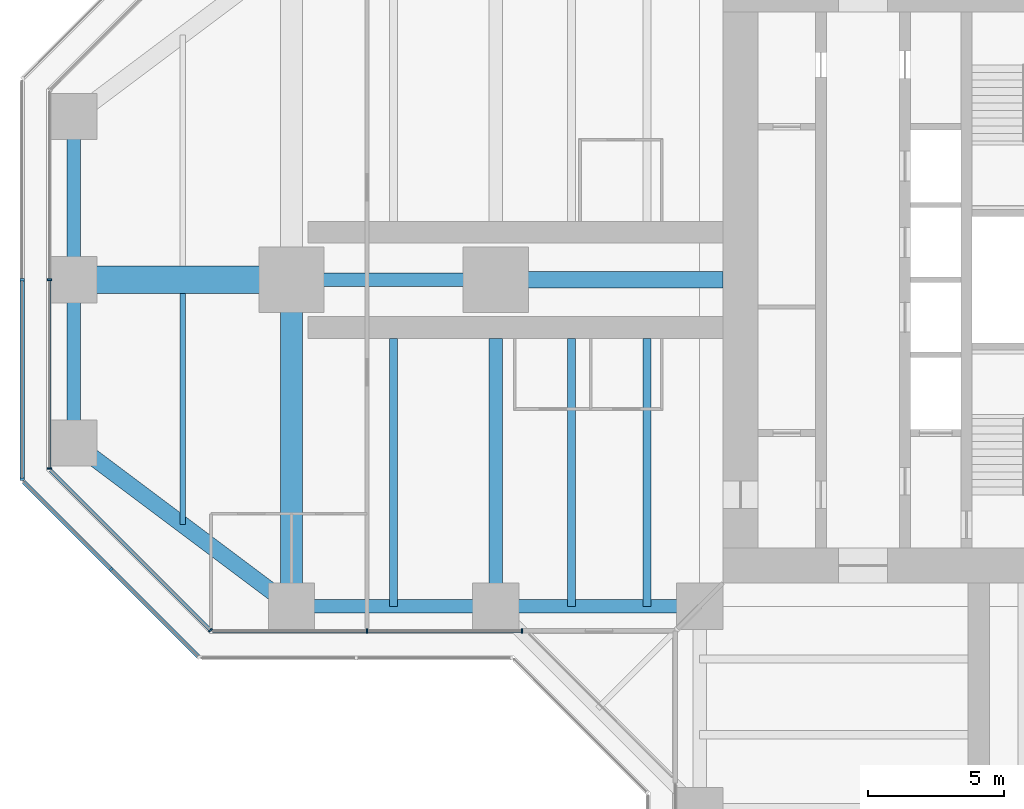
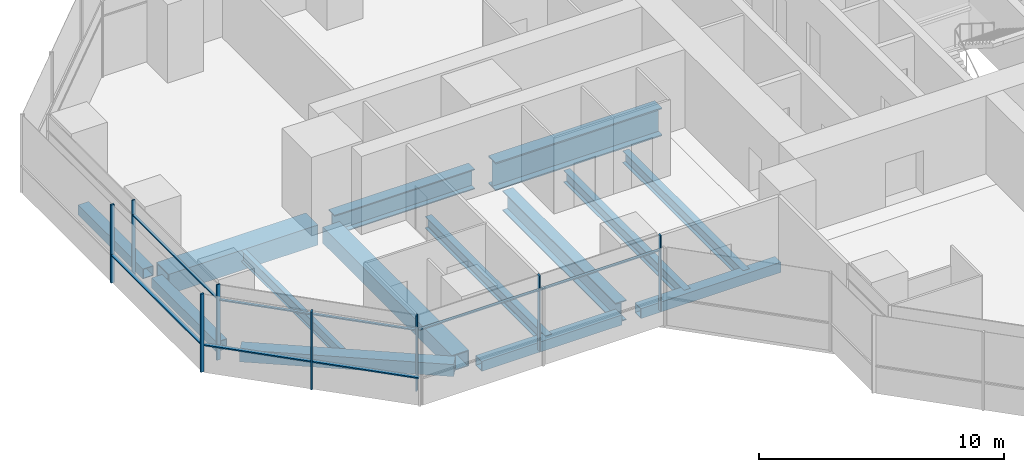
# One storey, part 3 of 20: 15 members, 14 beams, 5 elements without a shape of their own.
"""IFC4 building model written with IfcOpenShell, lengths in metres."""

from ifc_helpers import new_model, si_unit, direction, frame, origin, origin_2d, place, context, subcontext, project, spatial, rectangle, hollow_rectangle, i_section, extrude, material, material_profile, profile_set, type_object, element, aggregate, save


model = new_model("IFC4")

# Units and contexts
model_context = context("Model", 3, precision=1e-05, world=origin(), true_north=direction((0.0, 1.0)))
body_context = subcontext(model_context, "Body", "Model", "MODEL_VIEW")
ifc_project = project(units=[si_unit("LENGTHUNIT", "METRE"), si_unit("AREAUNIT", "SQUARE_METRE"), si_unit("VOLUMEUNIT", "CUBIC_METRE"), si_unit("PLANEANGLEUNIT", "RADIAN"), si_unit("MASSUNIT", "GRAM", prefix="KILO")], contexts=[model_context])

# Site, building, storey
site_placement = place(None, origin())
site = spatial("IfcSite", under=ifc_project, at=site_placement, CompositionType="ELEMENT")
building_placement = place(site_placement, origin())
building = spatial("IfcBuilding", under=site, at=building_placement, Name="Mizan Broadcast Tower", CompositionType="ELEMENT")
storey_placement = place(building_placement, frame((0.0, 0.0, 139.800048828125)))
storey = spatial("IfcBuildingStorey", under=building, at=storey_placement, Name="L31", CompositionType="ELEMENT", Elevation=139.800048828125)

# Beams
ifc_material_1 = material(Name="Steel S355", Category="steel")
ifc_material_profile_1 = material_profile(ifc_material_1, hollow_rectangle(XDim=0.5, YDim=0.5, WallThickness=0.030029296875, at=origin_2d()), Name="BOX 500x500x30")
ifc_profile_set_1 = profile_set([ifc_material_profile_1], Name="Steel S355")
beam_type_1 = type_object("IfcBeamType", Name="EDGE BEAM BOX 500x500x30", PredefinedType="SPANDREL", material=ifc_profile_set_1)
beam_1_placement = place(storey_placement, frame((-35.0, 5.639892578125, -0.380126953125), z_axis=(0.0, -1.0, 0.0), x_axis=(1.0, 0.0, 0.0)))
element("IfcBeam", 1, at=beam_1_placement, inside=storey, type_object=beam_type_1, Name="Edge beam BOX 500x500x30 L31 west arm", PredefinedType="SPANDREL", context=body_context, shape_type="SweptSolid", body=[
    extrude(hollow_rectangle(XDim=0.5, YDim=0.5, WallThickness=0.030029296875, at=origin_2d()), origin(), (0.0, 0.0, 1.0), 5.27978515625),
])
for number, where, z_axis, x_axis, name in (
    (2, (-12.449951171875, -12.0, -0.380126953125), (-1.0, 0.0, 0.0), (0.0, -1.0, 0.0), "Edge beam BOX 500x500x30 L31 west arm"),
    (3, (-19.949951171875, -12.0, -0.380126953125), (-1.0, 0.0, 0.0), (0.0, -1.0, 0.0), "Edge beam BOX 500x500x30 L31 west arm"),
):
    element("IfcBeam", number, at=place(storey_placement, frame(where, z_axis=z_axis, x_axis=x_axis)), inside=storey, type_object=beam_type_1, Name=name, PredefinedType="SPANDREL", context=body_context, shape_type="SweptSolid", body=[
        extrude(hollow_rectangle(XDim=0.5, YDim=0.5, WallThickness=0.030029296875, at=origin_2d()), origin(), (0.0, 0.0, 1.0), 6.60009765625),
    ])
beam_2_placement = place(storey_placement, frame((-35.0, -5.639892578125, -0.380126953125), z_axis=(0.0, 1.0, 0.0), x_axis=(-1.0, 0.0, 0.0)))
element("IfcBeam", 4, at=beam_2_placement, inside=storey, type_object=beam_type_1, Name="Edge beam BOX 500x500x30 L31 west arm", PredefinedType="SPANDREL", context=body_context, shape_type="SweptSolid", body=[
    extrude(hollow_rectangle(XDim=0.5, YDim=0.5, WallThickness=0.030029296875, at=origin_2d()), origin(), (0.0, 0.0, 1.0), 5.27978515625),
])
ifc_material_2 = material(Name="Steel S355", Category="steel")
ifc_material_profile_2 = material_profile(ifc_material_2, hollow_rectangle(XDim=0.60009765625, YDim=0.60009765625, WallThickness=0.030029296875, at=origin_2d()), Name="BOX 600x600x30")
ifc_profile_set_2 = profile_set([ifc_material_profile_2], Name="Steel S355")
beam_type_2 = type_object("IfcBeamType", Name="EDGE BEAM BOX 600x600x30", PredefinedType="SPANDREL", material=ifc_profile_set_2)
beam_3_placement = place(storey_placement, frame((-27.47998046875, -11.639892578125, -0.429931640625), z_axis=(-0.800013316712, 0.599982243973, 0.0), x_axis=(-0.599982243973, -0.800013316712, 0.0)))
element("IfcBeam", 5, at=beam_3_placement, inside=storey, type_object=beam_type_2, Name="Edge beam BOX 600x600x30 L31 west arm", PredefinedType="SPANDREL", context=body_context, shape_type="SweptSolid", body=[
    extrude(hollow_rectangle(XDim=0.60009765625, YDim=0.60009765625, WallThickness=0.030029296875, at=origin_2d()), origin(), (0.0, 0.0, 1.0), 8.7998046875),
])
ifc_material_3 = material(Name="Steel S460", Category="steel")
ifc_material_profile_3 = material_profile(ifc_material_3, hollow_rectangle(XDim=1.0, YDim=1.0, WallThickness=0.06005859375, at=origin_2d()), Name="BOX 1000x1000x60")
ifc_profile_set_3 = profile_set([ifc_material_profile_3], Name="Steel S460")
beam_type_3 = type_object("IfcBeamType", Name="GIRDER BOX 1000x1000x60", PredefinedType="BEAM", material=ifc_profile_set_3)
beam_4_placement = place(storey_placement, frame((-27.47998046875, 0.0, -0.630126953125), z_axis=(-1.0, 0.0, 0.0), x_axis=(0.0, -1.0, 0.0)))
element("IfcBeam", 6, at=beam_4_placement, inside=storey, type_object=beam_type_3, Name="Girder BOX 1000x1000x60 L31 west arm", PredefinedType="BEAM", context=body_context, shape_type="SweptSolid", body=[
    extrude(hollow_rectangle(XDim=1.0, YDim=1.0, WallThickness=0.06005859375, at=origin_2d()), origin(), (0.0, 0.0, 1.0), 7.0400390625),
])
ifc_material_4 = material(Name="Steel S460", Category="steel")
ifc_material_profile_4 = material_profile(ifc_material_4, hollow_rectangle(XDim=0.800048828125, YDim=0.800048828125, WallThickness=0.050048828125, at=origin_2d()), Name="BOX 800x800x50")
ifc_profile_set_4 = profile_set([ifc_material_profile_4], Name="Steel S460")
beam_type_4 = type_object("IfcBeamType", Name="GIRDER BOX 800x800x50", PredefinedType="BEAM", material=ifc_profile_set_4)
beam_5_placement = place(storey_placement, frame((-27.0, -11.280029296875, -0.530029296875), z_axis=(0.0, 1.0, 0.0), x_axis=(-1.0, 0.0, 0.0)))
element("IfcBeam", 7, at=beam_5_placement, inside=storey, type_object=beam_type_4, Name="Girder BOX 800x800x50 L31 west arm", PredefinedType="BEAM", context=body_context, shape_type="SweptSolid", body=[
    extrude(hollow_rectangle(XDim=0.800048828125, YDim=0.800048828125, WallThickness=0.050048828125, at=origin_2d()), origin(), (0.0, 0.0, 1.0), 10.56005859375),
])
ifc_material_5 = material(Name="Steel S460", Category="steel")
ifc_material_profile_5 = material_profile(ifc_material_5, i_section(OverallWidth=0.5, OverallDepth=1.0, WebThickness=0.02490234375, FlangeThickness=0.050048828125, at=origin_2d()), Name="WPG 1000x500")
ifc_profile_set_5 = profile_set([ifc_material_profile_5], Name="Steel S460")
beam_type_5 = type_object("IfcBeamType", Name="GIRDER WPG 1000x500", PredefinedType="BEAM", material=ifc_profile_set_5)
beam_6_placement = place(storey_placement, frame((-19.949951171875, 0.0, -0.630126953125), z_axis=(-1.0, 0.0, 0.0), x_axis=(0.0, -1.0, 0.0)))
element("IfcBeam", 8, at=beam_6_placement, inside=storey, type_object=beam_type_5, Name="Girder WPG 1000x500 L31 west arm", PredefinedType="BEAM", context=body_context, shape_type="SweptSolid", body=[
    extrude(i_section(OverallWidth=0.5, OverallDepth=1.0, WebThickness=0.02490234375, FlangeThickness=0.050048828125, at=origin_2d()), origin(), (0.0, 0.0, 1.0), 6.60009765625),
])
beam_7_placement = place(storey_placement, frame((-19.5, -11.408935546875, -0.630126953125), z_axis=(0.0, 1.0, 0.0), x_axis=(-1.0, 0.0, 0.0)))
element("IfcBeam", 9, at=beam_7_placement, inside=storey, type_object=beam_type_5, Name="Girder WPG 1000x500 L31 west arm", PredefinedType="BEAM", context=body_context, shape_type="SweptSolid", body=[
    extrude(i_section(OverallWidth=0.5, OverallDepth=1.0, WebThickness=0.02490234375, FlangeThickness=0.050048828125, at=origin_2d()), origin(), (0.0, 0.0, 1.0), 9.259033203125),
])
ifc_material_6 = material(Name="Steel S460", Category="steel")
ifc_material_profile_6 = material_profile(ifc_material_6, i_section(OverallWidth=0.60009765625, OverallDepth=1.39990234375, WebThickness=0.02490234375, FlangeThickness=0.06005859375, at=origin_2d()), Name="WPG 1400x600")
ifc_profile_set_6 = profile_set([ifc_material_profile_6], Name="Steel S460")
beam_type_6 = type_object("IfcBeamType", Name="GIRDER WPG 1400x600", PredefinedType="BEAM", material=ifc_profile_set_6)
beam_8_placement = place(storey_placement, frame((-11.14990234375, 0.0, -0.830078125), z_axis=(-1.0, 0.0, 0.0), x_axis=(0.0, -1.0, 0.0)))
element("IfcBeam", 10, at=beam_8_placement, inside=storey, type_object=beam_type_6, Name="Girder WPG 1400x600 L31 west arm", PredefinedType="BEAM", context=body_context, shape_type="SweptSolid", body=[
    extrude(i_section(OverallWidth=0.60009765625, OverallDepth=1.39990234375, WebThickness=0.02490234375, FlangeThickness=0.06005859375, at=origin_2d()), origin(), (0.0, 0.0, 1.0), 7.84912109375),
])

# Curtain wall, members
ifc_material_7 = material(Name="Aluminium framed glazing", Category="aluminium")
curtain_wall_type_1 = type_object("IfcCurtainWallType", Name="INNER SKIN MID ZONE", PredefinedType="USERDEFINED", material=ifc_material_7)
curtain_wall_1_placement = place(storey_placement, origin())
curtain_wall_1 = element("IfcCurtainWall", 11, at=curtain_wall_1_placement, inside=storey, type_object=curtain_wall_type_1, Name="Inner skin mid zone L31 W end", ObjectType="INNER SKIN MID ZONE", PredefinedType="USERDEFINED")
ifc_material_8 = material(Name="Aluminium, pale anodised", Category="aluminium")
ifc_material_profile_7 = material_profile(ifc_material_8, rectangle(XDim=0.159912109375, YDim=0.06005859375, at=origin_2d()), Name="MULLION 160x60")
ifc_profile_set_7 = profile_set([ifc_material_profile_7], Name="Aluminium, pale anodised")
member_type_1 = type_object("IfcMemberType", Name="INNER SKIN MULLION 60x160", PredefinedType="MULLION", material=ifc_profile_set_7)
member_1_placement = place(storey_placement, frame((-35.89990234375, 0.0, 0.0), z_axis=(0.0, 0.0, 1.0), x_axis=(1.0, 0.0, 0.0)))
member_1 = element("IfcMember", 12, at=member_1_placement, type_object=member_type_1, Name="Inner skin mid zone L31 W end mullion 2", PredefinedType="MULLION", context=body_context, shape_type="SweptSolid", body=[
    extrude(rectangle(XDim=0.159912109375, YDim=0.06005859375, at=origin_2d()), origin(), (0.0, 0.0, 1.0), 3.77001953125),
])
member_2_placement = place(storey_placement, frame((-35.89990234375, -6.928466796875, 0.0), z_axis=(0.0, 0.0, 1.0), x_axis=(1.0, 0.0, 0.0)))
member_2 = element("IfcMember", 13, at=member_2_placement, type_object=member_type_1, Name="Inner skin mid zone L31 W end mullion 3", PredefinedType="MULLION", context=body_context, shape_type="SweptSolid", body=[
    extrude(rectangle(XDim=0.159912109375, YDim=0.06005859375, at=origin_2d()), origin(), (0.0, 0.0, 1.0), 3.77001953125),
])

# Curtain wall, member
curtain_wall_2_placement = place(storey_placement, origin())
curtain_wall_2 = element("IfcCurtainWall", 14, at=curtain_wall_2_placement, inside=storey, type_object=curtain_wall_type_1, Name="Inner skin mid zone L31 W chamfer", ObjectType="INNER SKIN MID ZONE", PredefinedType="USERDEFINED")
member_3_placement = place(storey_placement, frame((-29.979736328125, -12.87890625, 0.0), z_axis=(0.0, 0.0, 1.0), x_axis=(0.707106781187, 0.707106781187, 0.0)))
member_3 = element("IfcMember", 15, at=member_3_placement, type_object=member_type_1, Name="Inner skin mid zone L31 W chamfer mullion 2", PredefinedType="MULLION", context=body_context, shape_type="SweptSolid", body=[
    extrude(rectangle(XDim=0.159912109375, YDim=0.06005859375, at=origin_2d()), origin(), (0.0, 0.0, 1.0), 3.77001953125),
])

# Curtain wall, members
curtain_wall_3_placement = place(storey_placement, origin())
curtain_wall_3 = element("IfcCurtainWall", 16, at=curtain_wall_3_placement, inside=storey, type_object=curtain_wall_type_1, Name="Inner skin mid zone L31 W side", ObjectType="INNER SKIN MID ZONE", PredefinedType="USERDEFINED")
member_4_placement = place(storey_placement, frame((-24.229248046875, -12.89990234375, 0.0), z_axis=(0.0, 0.0, 1.0), x_axis=(0.0, 1.0, 0.0)))
member_4 = element("IfcMember", 17, at=member_4_placement, type_object=member_type_1, Name="Inner skin mid zone L31 W side mullion 2", PredefinedType="MULLION", context=body_context, shape_type="SweptSolid", body=[
    extrude(rectangle(XDim=0.159912109375, YDim=0.06005859375, at=origin_2d()), origin(), (0.0, 0.0, 1.0), 3.77001953125),
])
member_5_placement = place(storey_placement, frame((-18.530029296875, -12.89990234375, 0.0), z_axis=(0.0, 0.0, 1.0), x_axis=(0.0, 1.0, 0.0)))
member_5 = element("IfcMember", 18, at=member_5_placement, type_object=member_type_1, Name="Inner skin mid zone L31 W side mullion 3", PredefinedType="MULLION", context=body_context, shape_type="SweptSolid", body=[
    extrude(rectangle(XDim=0.159912109375, YDim=0.06005859375, at=origin_2d()), origin(), (0.0, 0.0, 1.0), 3.77001953125),
])

# Member
ifc_material_9 = material(Name="Aluminium, pale anodised", Category="aluminium")
ifc_material_profile_8 = material_profile(ifc_material_9, rectangle(XDim=0.1201171875, YDim=0.06005859375, at=origin_2d()), Name="TRANSOM 120x60")
ifc_profile_set_8 = profile_set([ifc_material_profile_8], Name="Aluminium, pale anodised")
member_type_2 = type_object("IfcMemberType", Name="INNER SKIN TRANSOM 60x120", PredefinedType="USERDEFINED", material=ifc_profile_set_8)
member_6_placement = place(storey_placement, frame((-35.89990234375, -0.030029296875, 3.030029296875), z_axis=(0.0, -1.0, 0.0), x_axis=(1.0, 0.0, 0.0)))
member_6 = element("IfcMember", 19, at=member_6_placement, type_object=member_type_2, Name="Inner skin mid zone L31 W end transom 2.1", ObjectType="TRANSOM", PredefinedType="USERDEFINED", context=body_context, shape_type="SweptSolid", body=[
    extrude(rectangle(XDim=0.1201171875, YDim=0.06005859375, at=origin_2d()), origin(), (0.0, 0.0, 1.0), 6.86865234375),
])

aggregate(curtain_wall_1, [member_1, member_2, member_6])

member_7_placement = place(storey_placement, frame((-35.857666015625, -7.0009765625, 3.030029296875), z_axis=(0.707106781187, -0.707106781187, 0.0), x_axis=(0.707106781187, 0.707106781187, 0.0)))
member_7 = element("IfcMember", 20, at=member_7_placement, type_object=member_type_2, Name="Inner skin mid zone L31 W chamfer transom 1.1", ObjectType="TRANSOM", PredefinedType="USERDEFINED", context=body_context, shape_type="SweptSolid", body=[
    extrude(rectangle(XDim=0.1201171875, YDim=0.06005859375, at=origin_2d()), origin(), (0.0, 0.0, 1.0), 8.28271484375),
])

aggregate(curtain_wall_2, [member_3, member_7])

member_8_placement = place(storey_placement, frame((-29.898681640625, -12.89990234375, 3.030029296875), z_axis=(1.0, 0.0, 0.0), x_axis=(0.0, 1.0, 0.0)))
member_8 = element("IfcMember", 21, at=member_8_placement, type_object=member_type_2, Name="Inner skin mid zone L31 W side transom 1.1", ObjectType="TRANSOM", PredefinedType="USERDEFINED", context=body_context, shape_type="SweptSolid", body=[
    extrude(rectangle(XDim=0.1201171875, YDim=0.06005859375, at=origin_2d()), origin(), (0.0, 0.0, 1.0), 5.639404296875),
])

member_9_placement = place(storey_placement, frame((-24.19921875, -12.89990234375, 3.030029296875), z_axis=(1.0, 0.0, 0.0), x_axis=(0.0, 1.0, 0.0)))
member_9 = element("IfcMember", 22, at=member_9_placement, type_object=member_type_2, Name="Inner skin mid zone L31 W side transom 2.1", ObjectType="TRANSOM", PredefinedType="USERDEFINED", context=body_context, shape_type="SweptSolid", body=[
    extrude(rectangle(XDim=0.1201171875, YDim=0.06005859375, at=origin_2d()), origin(), (0.0, 0.0, 1.0), 5.63916015625),
])

aggregate(curtain_wall_3, [member_4, member_5, member_8, member_9])

# Curtain wall, members
ifc_material_10 = material(Name="Aluminium framed glazing", Category="aluminium")
curtain_wall_type_2 = type_object("IfcCurtainWallType", Name="OUTER SKIN", PredefinedType="USERDEFINED", material=ifc_material_10)
curtain_wall_4_placement = place(storey_placement, origin())
curtain_wall_4 = element("IfcCurtainWall", 23, at=curtain_wall_4_placement, inside=storey, type_object=curtain_wall_type_2, Name="Outer skin L31 W end", ObjectType="OUTER SKIN", PredefinedType="USERDEFINED")
ifc_material_11 = material(Name="Aluminium, pale anodised", Category="aluminium")
ifc_material_profile_9 = material_profile(ifc_material_11, rectangle(XDim=0.159912109375, YDim=0.080078125, at=origin_2d()), Name="MULLION 160x80")
ifc_profile_set_9 = profile_set([ifc_material_profile_9], Name="Aluminium, pale anodised")
member_type_3 = type_object("IfcMemberType", Name="OUTER SKIN MULLION 80x160", PredefinedType="MULLION", material=ifc_profile_set_9)
member_10_placement = place(storey_placement, frame((-36.89990234375, 0.0, 0.0), z_axis=(0.0, 0.0, 1.0), x_axis=(1.0, 0.0, 0.0)))
member_10 = element("IfcMember", 24, at=member_10_placement, type_object=member_type_3, Name="Outer skin L31 W end mullion 2", PredefinedType="MULLION", context=body_context, shape_type="SweptSolid", body=[
    extrude(rectangle(XDim=0.159912109375, YDim=0.080078125, at=origin_2d()), origin(), (0.0, 0.0, 1.0), 3.89990234375),
])
member_11_placement = place(storey_placement, frame((-36.89990234375, -7.332763671875, 0.0), z_axis=(0.0, 0.0, 1.0), x_axis=(1.0, 0.0, 0.0)))
member_11 = element("IfcMember", 25, at=member_11_placement, type_object=member_type_3, Name="Outer skin L31 W end mullion 3", PredefinedType="MULLION", context=body_context, shape_type="SweptSolid", body=[
    extrude(rectangle(XDim=0.159912109375, YDim=0.080078125, at=origin_2d()), origin(), (0.0, 0.0, 1.0), 3.89990234375),
])

# Curtain wall, member
curtain_wall_5_placement = place(storey_placement, origin())
curtain_wall_5 = element("IfcCurtainWall", 26, at=curtain_wall_5_placement, inside=storey, type_object=curtain_wall_type_2, Name="Outer skin L31 W chamfer", ObjectType="OUTER SKIN", PredefinedType="USERDEFINED")
member_12_placement = place(storey_placement, frame((-33.636474609375, -10.636474609375, 0.0), z_axis=(0.0, 0.0, 1.0), x_axis=(0.707106781187, 0.707106781187, 0.0)))
member_12 = element("IfcMember", 27, at=member_12_placement, type_object=member_type_3, Name="Outer skin L31 W chamfer mullion 2", PredefinedType="MULLION", context=body_context, shape_type="SweptSolid", body=[
    extrude(rectangle(XDim=0.159912109375, YDim=0.080078125, at=origin_2d()), origin(), (0.0, 0.0, 1.0), 3.89990234375),
])

# Member
ifc_material_12 = material(Name="Aluminium, pale anodised", Category="aluminium")
ifc_material_profile_10 = material_profile(ifc_material_12, rectangle(XDim=0.159912109375, YDim=0.06005859375, at=origin_2d()), Name="TRANSOM 160x60")
ifc_profile_set_10 = profile_set([ifc_material_profile_10], Name="Aluminium, pale anodised")
member_type_4 = type_object("IfcMemberType", Name="OUTER SKIN TRANSOM 60x160", PredefinedType="USERDEFINED", material=ifc_profile_set_10)
member_13_placement = place(storey_placement, frame((-36.89990234375, -0.0400390625, 1.39990234375), z_axis=(0.0, -1.0, 0.0), x_axis=(1.0, 0.0, 0.0)))
member_13 = element("IfcMember", 28, at=member_13_placement, type_object=member_type_4, Name="Outer skin L31 W end transom 2.1", ObjectType="TRANSOM", PredefinedType="USERDEFINED", context=body_context, shape_type="SweptSolid", body=[
    extrude(rectangle(XDim=0.159912109375, YDim=0.06005859375, at=origin_2d()), origin(), (0.0, 0.0, 1.0), 7.252685546875),
])

aggregate(curtain_wall_4, [member_10, member_11, member_13])

member_14_placement = place(storey_placement, frame((-36.843505859375, -7.429443359375, 1.39990234375), z_axis=(0.707106781187, -0.707106781187, 0.0), x_axis=(0.707106781187, 0.707106781187, 0.0)))
member_14 = element("IfcMember", 29, at=member_14_placement, type_object=member_type_4, Name="Outer skin L31 W chamfer transom 1.1", ObjectType="TRANSOM", PredefinedType="USERDEFINED", context=body_context, shape_type="SweptSolid", body=[
    extrude(rectangle(XDim=0.159912109375, YDim=0.06005859375, at=origin_2d()), origin(), (0.0, 0.0, 1.0), 4.495361328125),
])

member_15_placement = place(storey_placement, frame((-33.608154296875, -10.664794921875, 1.39990234375), z_axis=(0.707106781187, -0.707106781187, 0.0), x_axis=(0.707106781187, 0.707106781187, 0.0)))
member_15 = element("IfcMember", 30, at=member_15_placement, type_object=member_type_4, Name="Outer skin L31 W chamfer transom 2.1", ObjectType="TRANSOM", PredefinedType="USERDEFINED", context=body_context, shape_type="SweptSolid", body=[
    extrude(rectangle(XDim=0.159912109375, YDim=0.06005859375, at=origin_2d()), origin(), (0.0, 0.0, 1.0), 4.495361328125),
])

aggregate(curtain_wall_5, [member_12, member_14, member_15])

# Beams
ifc_material_13 = material(Name="Steel S355", Category="steel")
ifc_material_profile_11 = material_profile(ifc_material_13, i_section(OverallWidth=0.300048828125, OverallDepth=0.590087890625, WebThickness=0.012939453125, FlangeThickness=0.02490234375, FilletRadius=0.027099609375, at=origin_2d()), Name="HEA 600")
ifc_profile_set_11 = profile_set([ifc_material_profile_11], Name="Steel S355")
beam_type_7 = type_object("IfcBeamType", Name="SECONDARY BEAM HEA 600", PredefinedType="JOIST", material=ifc_profile_set_11)
for number, where, z_axis, x_axis, name in (
    (31, (-13.933349609375, -12.0, -0.425048828125), (0.0, 1.0, 0.0), (-1.0, 0.0, 0.0), "Secondary beam HEA 600 L31 west arm"),
    (32, (-16.716552734375, -12.0, -0.425048828125), (0.0, 1.0, 0.0), (-1.0, 0.0, 0.0), "Secondary beam HEA 600 L31 west arm"),
    (33, (-23.25, -12.0, -0.425048828125), (0.0, 1.0, 0.0), (-1.0, 0.0, 0.0), "Secondary beam HEA 600 L31 west arm"),
):
    element("IfcBeam", number, at=place(storey_placement, frame(where, z_axis=z_axis, x_axis=x_axis)), inside=storey, type_object=beam_type_7, Name=name, PredefinedType="JOIST", context=body_context, shape_type="SweptSolid", body=[
        extrude(i_section(OverallWidth=0.300048828125, OverallDepth=0.590087890625, WebThickness=0.012939453125, FlangeThickness=0.02490234375, FilletRadius=0.027099609375, at=origin_2d()), origin(), (0.0, 0.0, 1.0), 9.85009765625),
    ])
ifc_material_14 = material(Name="Steel S355", Category="steel")
ifc_material_profile_12 = material_profile(ifc_material_14, i_section(OverallWidth=0.2099609375, OverallDepth=0.550048828125, WebThickness=0.010986328125, FlangeThickness=0.01708984375, FilletRadius=0.02392578125, at=origin_2d()), Name="IPE 550")
ifc_profile_set_12 = profile_set([ifc_material_profile_12], Name="Steel S355")
beam_type_8 = type_object("IfcBeamType", Name="SECONDARY BEAM IPE 550", PredefinedType="JOIST", material=ifc_profile_set_12)
beam_9_placement = place(storey_placement, frame((-31.0, -9.0, -0.405029296875), z_axis=(0.0, 1.0, 0.0), x_axis=(-1.0, 0.0, 0.0)))
element("IfcBeam", 34, at=beam_9_placement, inside=storey, type_object=beam_type_8, Name="Secondary beam IPE 550 L31 west arm", PredefinedType="JOIST", context=body_context, shape_type="SweptSolid", body=[
    extrude(i_section(OverallWidth=0.2099609375, OverallDepth=0.550048828125, WebThickness=0.010986328125, FlangeThickness=0.01708984375, FilletRadius=0.02392578125, at=origin_2d()), origin(), (0.0, 0.0, 1.0), 8.5),
])

save(model, "model.ifc")
